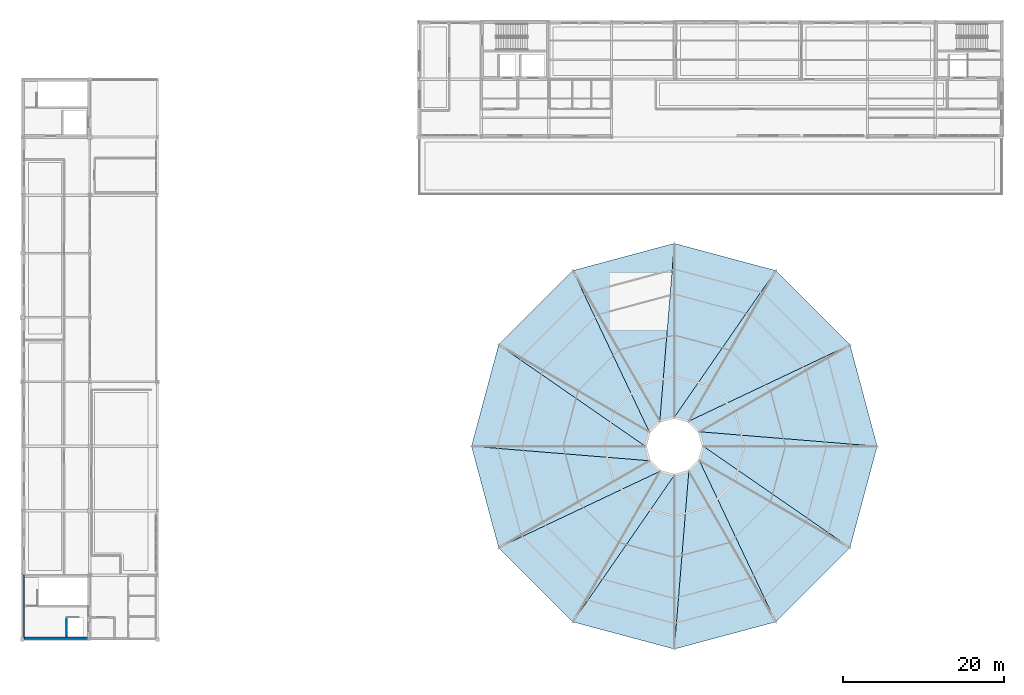
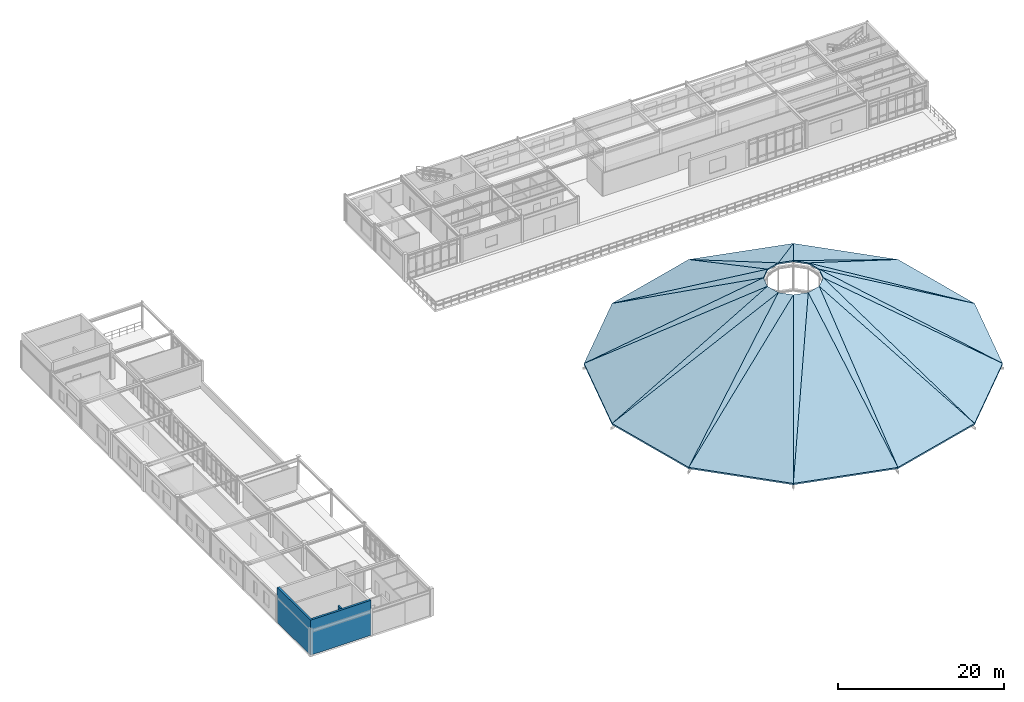
# One storey, part 48 of 58: 24 slabs, 3 walls.
"""IFC4 building model written with IfcOpenShell, lengths in metres."""

from ifc_helpers import new_model, si_unit, derived_unit, direction, frame, frame_2d, origin, place, context, subcontext, project, spatial, rectangle, extrude, polygons, material, layer, layer_set, type_object, element, save


model = new_model("IFC4")

# Units and contexts
model_context = context("Model", 3, precision=1e-05, world=origin(), true_north=direction((0.0, 1.0)))
body_context = subcontext(model_context, "Body", "Model", "MODEL_VIEW")
ifc_project = project(units=[si_unit("LENGTHUNIT", "METRE"), si_unit("AREAUNIT", "SQUARE_METRE"), si_unit("VOLUMEUNIT", "CUBIC_METRE"), si_unit("PLANEANGLEUNIT", "RADIAN"), si_unit("MASSUNIT", "GRAM", prefix="KILO"), derived_unit("THERMALTRANSMITTANCEUNIT", [(si_unit("POWERUNIT", "WATT"), 1), (si_unit("AREAUNIT", "SQUARE_METRE"), -1), (si_unit("THERMODYNAMICTEMPERATUREUNIT", "KELVIN"), -1)])], contexts=[model_context])

# Site, building, storey
site_placement = place(None, origin())
site = spatial("IfcSite", under=ifc_project, at=site_placement, CompositionType="ELEMENT")
building_placement = place(site_placement, origin())
building = spatial("IfcBuilding", under=site, at=building_placement, Name="Yasenodar Specialist Clinic", CompositionType="ELEMENT")
storey_placement = place(building_placement, frame((0.0, 0.0, 21.300048828125)))
storey = spatial("IfcBuildingStorey", under=building, at=storey_placement, Name="L05", CompositionType="ELEMENT", Elevation=21.300048828125)

# Slabs
ifc_material_1 = material(Name="Concrete C30/37", Category="concrete")
ifc_layer_1 = layer(ifc_material_1, 0.179931640625)
ifc_layer_set_1 = layer_set([ifc_layer_1], Name="Concrete C30/37")
slab_type = type_object("IfcSlabType", Name="SLB-ROOF-180", PredefinedType="ROOF", material=ifc_layer_set_1)
slab_1_placement = place(storey_placement, origin())
element("IfcSlab", 1, at=slab_1_placement, inside=storey, type_object=slab_type, Name="Drum V1 Pitched Roof Sector 01A", PredefinedType="ROOF", context=body_context, shape_type="Tessellation", body=[
    polygons([(106.199951171875, 58.800048828125, 0.0), (102.82373046875, 71.39990234375, 0.0), (84.11767578125, 60.60009765625, 12.599853515625), (106.199951171875, 58.800048828125, -0.21027695505817334), (102.82373046875, 71.39990234375, -0.21027695505817334), (84.11767578125, 60.60009765625, 12.38957656056683)], [[[1, 2, 3]], [[6, 5, 4]], [[4, 5, 2, 1]], [[5, 6, 3, 2]], [[6, 4, 1, 3]]], closed=True),
])
slab_2_placement = place(storey_placement, origin())
element("IfcSlab", 2, at=slab_2_placement, inside=storey, type_object=slab_type, Name="Drum V1 Pitched Roof Sector 01B", PredefinedType="ROOF", context=body_context, shape_type="Tessellation", body=[
    polygons([(106.199951171875, 58.800048828125, 0.0), (84.11767578125, 60.60009765625, 12.599853515625), (84.60009765625, 58.800048828125, 12.599853515625), (106.199951171875, 58.800048828125, -0.21027784945171746), (84.11767578125, 60.60009765625, 12.389575666173279), (84.60009765625, 58.800048828125, 12.389575666173279)], [[[1, 2, 3]], [[6, 5, 4]], [[4, 5, 2, 1]], [[5, 6, 3, 2]], [[6, 4, 1, 3]]], closed=True),
])
slab_3_placement = place(storey_placement, origin())
element("IfcSlab", 3, at=slab_3_placement, inside=storey, type_object=slab_type, Name="Drum V1 Pitched Roof Sector 02A", PredefinedType="ROOF", context=body_context, shape_type="Tessellation", body=[
    polygons([(102.82373046875, 71.39990234375, 0.0), (93.60009765625, 80.623779296875, 0.0), (82.800048828125, 61.917724609375, 12.599853515625), (102.82373046875, 71.39990234375, -0.2102769712739132), (93.60009765625, 80.623779296875, -0.2102769712739132), (82.800048828125, 61.917724609375, 12.389576544351087)], [[[1, 2, 3]], [[6, 5, 4]], [[4, 5, 2, 1]], [[5, 6, 3, 2]], [[6, 4, 1, 3]]], closed=True),
])
slab_4_placement = place(storey_placement, origin())
element("IfcSlab", 4, at=slab_4_placement, inside=storey, type_object=slab_type, Name="Drum V1 Pitched Roof Sector 02B", PredefinedType="ROOF", context=body_context, shape_type="Tessellation", body=[
    polygons([(102.82373046875, 71.39990234375, 0.0), (82.800048828125, 61.917724609375, 12.599853515625), (84.11767578125, 60.60009765625, 12.599853515625), (102.82373046875, 71.39990234375, -0.21027723696865408), (82.800048828125, 61.917724609375, 12.38957627865635), (84.11767578125, 60.60009765625, 12.38957627865635)], [[[1, 2, 3]], [[6, 5, 4]], [[4, 5, 2, 1]], [[5, 6, 3, 2]], [[6, 4, 1, 3]]], closed=True),
])
slab_5_placement = place(storey_placement, origin())
element("IfcSlab", 5, at=slab_5_placement, inside=storey, type_object=slab_type, Name="Drum V1 Pitched Roof Sector 03A", PredefinedType="ROOF", context=body_context, shape_type="Tessellation", body=[
    polygons([(93.60009765625, 80.623779296875, 0.0), (81.0, 84.0, 0.0), (81.0, 62.39990234375, 12.599853515625), (93.60009765625, 80.623779296875, -0.21027647054836152), (81.0, 84.0, -0.21027647054836152), (81.0, 62.39990234375, 12.389577045076642)], [[[1, 2, 3]], [[6, 5, 4]], [[4, 5, 2, 1]], [[5, 6, 3, 2]], [[6, 4, 1, 3]]], closed=True),
])
slab_6_placement = place(storey_placement, origin())
element("IfcSlab", 6, at=slab_6_placement, inside=storey, type_object=slab_type, Name="Drum V1 Pitched Roof Sector 03B", PredefinedType="ROOF", context=body_context, shape_type="Tessellation", body=[
    polygons([(93.60009765625, 80.623779296875, 0.0), (81.0, 62.39990234375, 12.599853515625), (82.800048828125, 61.917724609375, 12.599853515625), (93.60009765625, 80.623779296875, -0.21027801977413318), (81.0, 62.39990234375, 12.389575495850863), (82.800048828125, 61.917724609375, 12.389575495850863)], [[[1, 2, 3]], [[6, 5, 4]], [[4, 5, 2, 1]], [[5, 6, 3, 2]], [[6, 4, 1, 3]]], closed=True),
])
slab_7_placement = place(storey_placement, origin())
element("IfcSlab", 7, at=slab_7_placement, inside=storey, type_object=slab_type, Name="Drum V1 Pitched Roof Sector 04A", PredefinedType="ROOF", context=body_context, shape_type="Tessellation", body=[
    polygons([(81.0, 84.0, 0.0), (68.39990234375, 80.623779296875, 0.0), (79.199951171875, 61.917724609375, 12.599853515625), (81.0, 84.0, -0.2102768578031906), (68.39990234375, 80.623779296875, -0.2102768578031906), (79.199951171875, 61.917724609375, 12.389576657821806)], [[[1, 2, 3]], [[6, 5, 4]], [[4, 5, 2, 1]], [[5, 6, 3, 2]], [[6, 4, 1, 3]]], closed=True),
])
slab_8_placement = place(storey_placement, origin())
element("IfcSlab", 8, at=slab_8_placement, inside=storey, type_object=slab_type, Name="Drum V1 Pitched Roof Sector 04B", PredefinedType="ROOF", context=body_context, shape_type="Tessellation", body=[
    polygons([(81.0, 84.0, 0.0), (79.199951171875, 61.917724609375, 12.599853515625), (81.0, 62.39990234375, 12.599853515625), (81.0, 84.0, -0.21027530898678393), (79.199951171875, 61.917724609375, 12.38957820663822), (81.0, 62.39990234375, 12.38957820663822)], [[[1, 2, 3]], [[6, 5, 4]], [[4, 5, 2, 1]], [[5, 6, 3, 2]], [[6, 4, 1, 3]]], closed=True),
])
slab_9_placement = place(storey_placement, origin())
element("IfcSlab", 9, at=slab_9_placement, inside=storey, type_object=slab_type, Name="Drum V1 Pitched Roof Sector 05A", PredefinedType="ROOF", context=body_context, shape_type="Tessellation", body=[
    polygons([(68.39990234375, 80.623779296875, 0.0), (59.17626953125, 71.39990234375, 0.0), (77.88232421875, 60.60009765625, 12.599853515625), (68.39990234375, 80.623779296875, -0.21027703769543038), (59.17626953125, 71.39990234375, -0.21027703769543038), (77.88232421875, 60.60009765625, 12.389576477929573)], [[[1, 2, 3]], [[6, 5, 4]], [[4, 5, 2, 1]], [[5, 6, 3, 2]], [[6, 4, 1, 3]]], closed=True),
])
slab_10_placement = place(storey_placement, origin())
element("IfcSlab", 10, at=slab_10_placement, inside=storey, type_object=slab_type, Name="Drum V1 Pitched Roof Sector 05B", PredefinedType="ROOF", context=body_context, shape_type="Tessellation", body=[
    polygons([(68.39990234375, 80.623779296875, 0.0), (77.88232421875, 60.60009765625, 12.599853515625), (79.199951171875, 61.917724609375, 12.599853515625), (68.39990234375, 80.623779296875, -0.21027677199957395), (77.88232421875, 60.60009765625, 12.389576743625426), (79.199951171875, 61.917724609375, 12.389576743625426)], [[[1, 2, 3]], [[6, 5, 4]], [[4, 5, 2, 1]], [[5, 6, 3, 2]], [[6, 4, 1, 3]]], closed=True),
])
slab_11_placement = place(storey_placement, origin())
element("IfcSlab", 11, at=slab_11_placement, inside=storey, type_object=slab_type, Name="Drum V1 Pitched Roof Sector 06A", PredefinedType="ROOF", context=body_context, shape_type="Tessellation", body=[
    polygons([(59.17626953125, 71.39990234375, 0.0), (55.800048828125, 58.800048828125, 0.0), (77.39990234375, 58.800048828125, 12.599853515625), (59.17626953125, 71.39990234375, -0.21027717864235385), (55.800048828125, 58.800048828125, -0.21027717864235385), (77.39990234375, 58.800048828125, 12.389576336982643)], [[[1, 2, 3]], [[6, 5, 4]], [[4, 5, 2, 1]], [[5, 6, 3, 2]], [[6, 4, 1, 3]]], closed=True),
])
slab_12_placement = place(storey_placement, origin())
element("IfcSlab", 12, at=slab_12_placement, inside=storey, type_object=slab_type, Name="Drum V1 Pitched Roof Sector 06B", PredefinedType="ROOF", context=body_context, shape_type="Tessellation", body=[
    polygons([(59.17626953125, 71.39990234375, 0.0), (77.39990234375, 58.800048828125, 12.599853515625), (77.88232421875, 60.60009765625, 12.599853515625), (59.17626953125, 71.39990234375, -0.21027628444176472), (77.39990234375, 58.800048828125, 12.389577231183232), (77.88232421875, 60.60009765625, 12.389577231183232)], [[[1, 2, 3]], [[6, 5, 4]], [[4, 5, 2, 1]], [[5, 6, 3, 2]], [[6, 4, 1, 3]]], closed=True),
])
slab_13_placement = place(storey_placement, origin())
element("IfcSlab", 13, at=slab_13_placement, inside=storey, type_object=slab_type, Name="Drum V1 Pitched Roof Sector 07A", PredefinedType="ROOF", context=body_context, shape_type="Tessellation", body=[
    polygons([(55.800048828125, 58.800048828125, 0.0), (59.17626953125, 46.199951171875, 0.0), (77.88232421875, 57.0, 12.599853515625), (55.800048828125, 58.800048828125, -0.2102768578031906), (59.17626953125, 46.199951171875, -0.2102768578031906), (77.88232421875, 57.0, 12.389576657821806)], [[[1, 2, 3]], [[6, 5, 4]], [[4, 5, 2, 1]], [[5, 6, 3, 2]], [[6, 4, 1, 3]]], closed=True),
])
slab_14_placement = place(storey_placement, origin())
element("IfcSlab", 14, at=slab_14_placement, inside=storey, type_object=slab_type, Name="Drum V1 Pitched Roof Sector 07B", PredefinedType="ROOF", context=body_context, shape_type="Tessellation", body=[
    polygons([(55.800048828125, 58.800048828125, 0.0), (77.88232421875, 57.0, 12.599853515625), (77.39990234375, 58.800048828125, 12.599853515625), (55.800048828125, 58.800048828125, -0.21027784945171746), (77.88232421875, 57.0, 12.389575666173279), (77.39990234375, 58.800048828125, 12.389575666173279)], [[[1, 2, 3]], [[6, 5, 4]], [[4, 5, 2, 1]], [[5, 6, 3, 2]], [[6, 4, 1, 3]]], closed=True),
])
slab_15_placement = place(storey_placement, origin())
element("IfcSlab", 15, at=slab_15_placement, inside=storey, type_object=slab_type, Name="Drum V1 Pitched Roof Sector 08A", PredefinedType="ROOF", context=body_context, shape_type="Tessellation", body=[
    polygons([(59.17626953125, 46.199951171875, 0.0), (68.39990234375, 36.976318359375, 0.0), (79.199951171875, 55.682373046875, 12.599853515625), (59.17626953125, 46.199951171875, -0.21027677199957395), (68.39990234375, 36.976318359375, -0.21027677199957395), (79.199951171875, 55.682373046875, 12.389576743625426)], [[[1, 2, 3]], [[6, 5, 4]], [[4, 5, 2, 1]], [[5, 6, 3, 2]], [[6, 4, 1, 3]]], closed=True),
])
slab_16_placement = place(storey_placement, origin())
element("IfcSlab", 16, at=slab_16_placement, inside=storey, type_object=slab_type, Name="Drum V1 Pitched Roof Sector 08B", PredefinedType="ROOF", context=body_context, shape_type="Tessellation", body=[
    polygons([(59.17626953125, 46.199951171875, 0.0), (79.199951171875, 55.682373046875, 12.599853515625), (77.88232421875, 57.0, 12.599853515625), (59.17626953125, 46.199951171875, -0.21027677199957395), (79.199951171875, 55.682373046875, 12.389576743625426), (77.88232421875, 57.0, 12.389576743625426)], [[[1, 2, 3]], [[6, 5, 4]], [[4, 5, 2, 1]], [[5, 6, 3, 2]], [[6, 4, 1, 3]]], closed=True),
])
slab_17_placement = place(storey_placement, origin())
element("IfcSlab", 17, at=slab_17_placement, inside=storey, type_object=slab_type, Name="Drum V1 Pitched Roof Sector 09A", PredefinedType="ROOF", context=body_context, shape_type="Tessellation", body=[
    polygons([(68.39990234375, 36.976318359375, 0.0), (81.0, 33.60009765625, 0.0), (81.0, 55.199951171875, 12.599853515625), (68.39990234375, 36.976318359375, -0.21027710570081481), (81.0, 33.60009765625, -0.21027710570081481), (81.0, 55.199951171875, 12.389576409924182)], [[[1, 2, 3]], [[6, 5, 4]], [[4, 5, 2, 1]], [[5, 6, 3, 2]], [[6, 4, 1, 3]]], closed=True),
])
slab_18_placement = place(storey_placement, origin())
element("IfcSlab", 18, at=slab_18_placement, inside=storey, type_object=slab_type, Name="Drum V1 Pitched Roof Sector 09B", PredefinedType="ROOF", context=body_context, shape_type="Tessellation", body=[
    polygons([(68.39990234375, 36.976318359375, 0.0), (81.0, 55.199951171875, 12.599853515625), (79.199951171875, 55.682373046875, 12.599853515625), (68.39990234375, 36.976318359375, -0.2102761142249321), (81.0, 55.199951171875, 12.389577401400068), (79.199951171875, 55.682373046875, 12.389577401400068)], [[[1, 2, 3]], [[6, 5, 4]], [[4, 5, 2, 1]], [[5, 6, 3, 2]], [[6, 4, 1, 3]]], closed=True),
])
slab_19_placement = place(storey_placement, origin())
element("IfcSlab", 19, at=slab_19_placement, inside=storey, type_object=slab_type, Name="Drum V1 Pitched Roof Sector 10A", PredefinedType="ROOF", context=body_context, shape_type="Tessellation", body=[
    polygons([(81.0, 33.60009765625, 0.0), (93.60009765625, 36.976318359375, 0.0), (82.800048828125, 55.682373046875, 12.599853515625), (81.0, 33.60009765625, -0.2102768578031906), (93.60009765625, 36.976318359375, -0.2102768578031906), (82.800048828125, 55.682373046875, 12.389576657821806)], [[[1, 2, 3]], [[6, 5, 4]], [[4, 5, 2, 1]], [[5, 6, 3, 2]], [[6, 4, 1, 3]]], closed=True),
])
slab_20_placement = place(storey_placement, origin())
element("IfcSlab", 20, at=slab_20_placement, inside=storey, type_object=slab_type, Name="Drum V1 Pitched Roof Sector 10B", PredefinedType="ROOF", context=body_context, shape_type="Tessellation", body=[
    polygons([(81.0, 33.60009765625, 0.0), (82.800048828125, 55.682373046875, 12.599853515625), (81.0, 55.199951171875, 12.599853515625), (81.0, 33.60009765625, -0.21027784945171746), (82.800048828125, 55.682373046875, 12.389575666173279), (81.0, 55.199951171875, 12.389575666173279)], [[[1, 2, 3]], [[6, 5, 4]], [[4, 5, 2, 1]], [[5, 6, 3, 2]], [[6, 4, 1, 3]]], closed=True),
])
slab_21_placement = place(storey_placement, origin())
element("IfcSlab", 21, at=slab_21_placement, inside=storey, type_object=slab_type, Name="Drum V1 Pitched Roof Sector 11A", PredefinedType="ROOF", context=body_context, shape_type="Tessellation", body=[
    polygons([(93.60009765625, 36.976318359375, 0.0), (102.82373046875, 46.199951171875, 0.0), (84.11767578125, 57.0, 12.599853515625), (93.60009765625, 36.976318359375, -0.21027677199957395), (102.82373046875, 46.199951171875, -0.21027677199957395), (84.11767578125, 57.0, 12.389576743625426)], [[[1, 2, 3]], [[6, 5, 4]], [[4, 5, 2, 1]], [[5, 6, 3, 2]], [[6, 4, 1, 3]]], closed=True),
])
slab_22_placement = place(storey_placement, origin())
element("IfcSlab", 22, at=slab_22_placement, inside=storey, type_object=slab_type, Name="Drum V1 Pitched Roof Sector 11B", PredefinedType="ROOF", context=body_context, shape_type="Tessellation", body=[
    polygons([(93.60009765625, 36.976318359375, 0.0), (84.11767578125, 57.0, 12.599853515625), (82.800048828125, 55.682373046875, 12.599853515625), (93.60009765625, 36.976318359375, -0.21027677199957395), (84.11767578125, 57.0, 12.389576743625426), (82.800048828125, 55.682373046875, 12.389576743625426)], [[[1, 2, 3]], [[6, 5, 4]], [[4, 5, 2, 1]], [[5, 6, 3, 2]], [[6, 4, 1, 3]]], closed=True),
])
slab_23_placement = place(storey_placement, origin())
element("IfcSlab", 23, at=slab_23_placement, inside=storey, type_object=slab_type, Name="Drum V1 Pitched Roof Sector 12A", PredefinedType="ROOF", context=body_context, shape_type="Tessellation", body=[
    polygons([(102.82373046875, 46.199951171875, 0.0), (106.199951171875, 58.800048828125, 0.0), (84.60009765625, 58.800048828125, 12.599853515625), (102.82373046875, 46.199951171875, -0.21027710570081481), (106.199951171875, 58.800048828125, -0.21027710570081481), (84.60009765625, 58.800048828125, 12.389576409924182)], [[[1, 2, 3]], [[6, 5, 4]], [[4, 5, 2, 1]], [[5, 6, 3, 2]], [[6, 4, 1, 3]]], closed=True),
])
slab_24_placement = place(storey_placement, origin())
element("IfcSlab", 24, at=slab_24_placement, inside=storey, type_object=slab_type, Name="Drum V1 Pitched Roof Sector 12B", PredefinedType="ROOF", context=body_context, shape_type="Tessellation", body=[
    polygons([(102.82373046875, 46.199951171875, 0.0), (84.60009765625, 58.800048828125, 12.599853515625), (84.11767578125, 57.0, 12.599853515625), (102.82373046875, 46.199951171875, -0.2102761142249321), (84.60009765625, 58.800048828125, 12.389577401400068), (84.11767578125, 57.0, 12.389577401400068)], [[[1, 2, 3]], [[6, 5, 4]], [[4, 5, 2, 1]], [[5, 6, 3, 2]], [[6, 4, 1, 3]]], closed=True),
])

# Walls
ifc_material_2 = material(Name="Aerated Concrete Blockwork Fire Shaft Wall", Category="masonry")
ifc_layer_2 = layer(ifc_material_2, 0.205078125)
ifc_layer_set_2 = layer_set([ifc_layer_2], Name="Aerated Concrete Blockwork Fire Shaft Wall")
wall_type_1 = type_object("IfcWallType", Name="IW-SHAFT-205", PredefinedType="PARTITIONING", material=ifc_layer_set_2)
wall_1_placement = place(storey_placement, frame((5.5, 35.14990234375, 0.0), z_axis=(0.0, 0.0, 1.0), x_axis=(0.0, 1.0, 0.0)))
element("IfcWall", 25, at=wall_1_placement, inside=storey, type_object=wall_type_1, Name="L05 LF-01 Lift Shaft Side Wall", PredefinedType="PARTITIONING", context=body_context, shape_type="SweptSolid", body=[
    extrude(rectangle(XDim=2.400146484375, YDim=0.205078125, at=frame_2d((1.2001953125, 0.0))), origin(), (0.0, 0.0, 1.0), 3.780029296875),
])
ifc_material_3 = material(Name="Concrete C35/45", Category="concrete")
ifc_layer_3 = layer(ifc_material_3, 0.300048828125)
ifc_layer_set_3 = layer_set([ifc_layer_3], Name="Concrete C35/45")
wall_type_2 = type_object("IfcWallType", Name="WL-CORE-300", PredefinedType="SHEAR", material=ifc_layer_set_3)
wall_2_placement = place(storey_placement, frame((0.0, 34.949951171875, 0.0), z_axis=(0.0, 0.0, 1.0), x_axis=(1.0, 0.0, 0.0)))
element("IfcWall", 26, at=wall_2_placement, inside=storey, type_object=wall_type_2, Name="L05 Core C1 South Shear Wall", PredefinedType="SHEAR", context=body_context, shape_type="SweptSolid", body=[
    extrude(rectangle(XDim=8.39990234375, YDim=0.300048828125, at=frame_2d((4.199951171875, 0.0))), origin(), (0.0, 0.0, 1.0), 5.14990234375),
])
wall_3_placement = place(storey_placement, frame((0.14990234375, 34.800048828125, 0.0), z_axis=(0.0, 0.0, 1.0), x_axis=(0.0, 1.0, 0.0)))
element("IfcWall", 27, at=wall_3_placement, inside=storey, type_object=wall_type_2, Name="L05 Core C1 West Shear Wall", PredefinedType="SHEAR", context=body_context, shape_type="SweptSolid", body=[
    extrude(rectangle(XDim=8.0, YDim=0.300048828125, at=frame_2d((4.0, 0.0))), origin(), (0.0, 0.0, 1.0), 5.14990234375),
])

save(model, "model.ifc")
